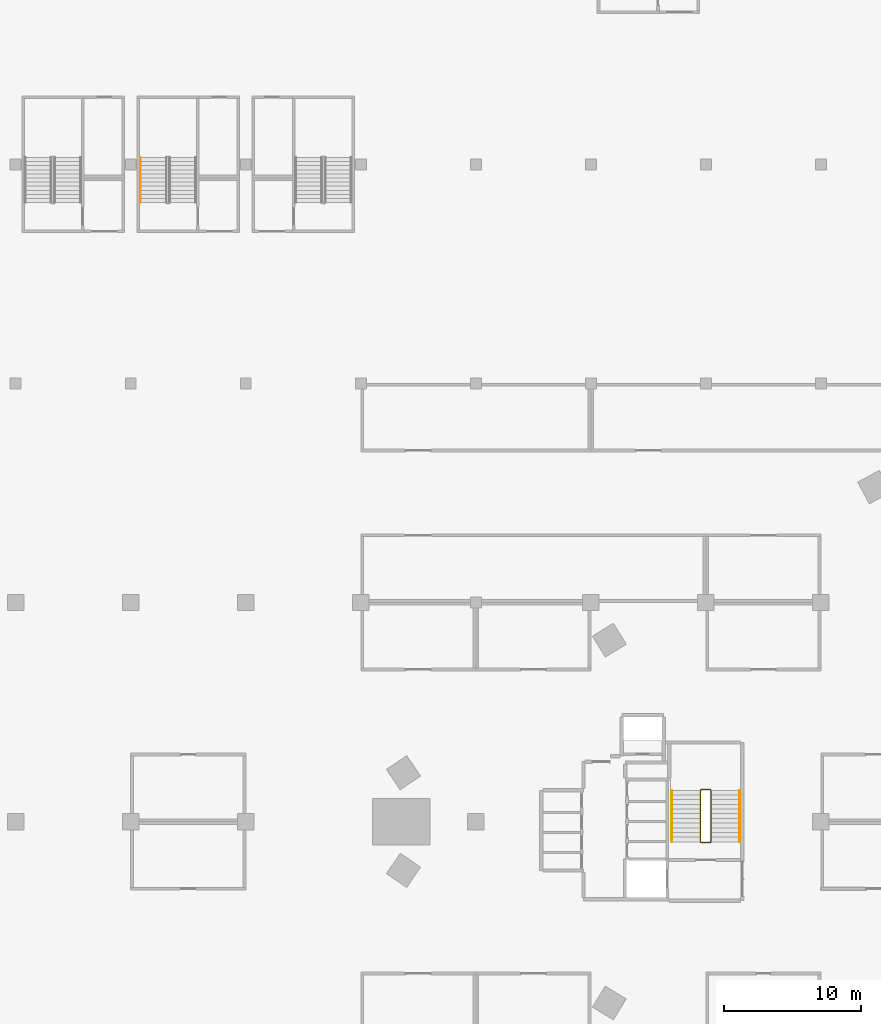
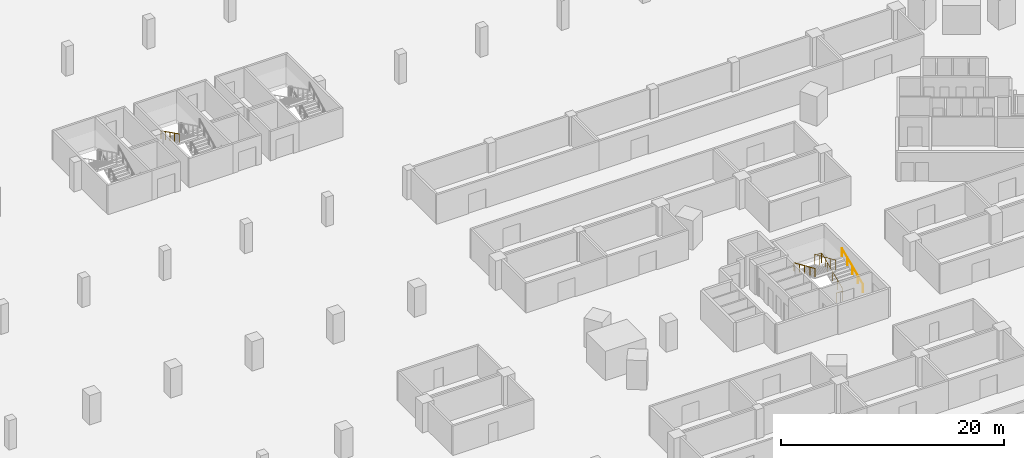
# One storey, part 27 of 37: 4 railings.
"""IFC4 building model written with IfcOpenShell, lengths in metres."""

from ifc_helpers import new_model, si_unit, direction, frame, origin, origin_2d, place, context, subcontext, project, spatial, circle, extrude, material, type_object, element, save


model = new_model("IFC4")

# Units and contexts
model_context = context("Model", 3, precision=1e-05, world=origin(), true_north=direction((0.0, 1.0)))
body_context = subcontext(model_context, "Body", "Model", "MODEL_VIEW")
ifc_project = project(units=[si_unit("LENGTHUNIT", "METRE"), si_unit("AREAUNIT", "SQUARE_METRE"), si_unit("VOLUMEUNIT", "CUBIC_METRE"), si_unit("PLANEANGLEUNIT", "RADIAN"), si_unit("MASSUNIT", "GRAM", prefix="KILO")], contexts=[model_context])

# Site, building, storey
site_placement = place(None, origin())
site = spatial("IfcSite", under=ifc_project, at=site_placement, CompositionType="ELEMENT")
building_placement = place(site_placement, origin())
building = spatial("IfcBuilding", under=site, at=building_placement, Name="Tamra Quay Hotel Tower", CompositionType="ELEMENT")
storey_placement = place(building_placement, frame((0.0, 0.0, -7.199951171875)))
storey = spatial("IfcBuildingStorey", under=building, at=storey_placement, Name="B2", CompositionType="ELEMENT", Elevation=-7.199951171875)

# Railings
ifc_material_1 = material(Name="Basement stair handrail 900")
railing_type_1 = type_object("IfcRailingType", Name="Basement stair handrail 900", PredefinedType="HANDRAIL", material=ifc_material_1)
railing_1_placement = place(storey_placement, frame((-54.800048828125, 48.5, 1.949951171875)))
element("IfcRailing", 1, at=railing_1_placement, inside=storey, type_object=railing_type_1, Name="BSH", PredefinedType="HANDRAIL", context=body_context, shape_type="SweptSolid", body=[
    extrude(circle(Radius=0.02392578125, at=origin_2d()), frame((0.0, 0.0, 0.8759765625), z_axis=(0.0, -0.894440424912, 0.447187126696), x_axis=(1.0, 0.0, 0.0)), (0.0, 0.0, 1.0), 3.689453125),
    extrude(circle(Radius=0.02099609375, at=origin_2d()), origin(), (0.0, 0.0, 1.0), 0.851806640625),
    extrude(circle(Radius=0.02099609375, at=origin_2d()), frame((0.0, -0.824951171875, 0.41259765625)), (0.0, 0.0, 1.0), 0.851806640625),
    extrude(circle(Radius=0.02099609375, at=origin_2d()), frame((0.0, -1.64990234375, 0.824951171875)), (0.0, 0.0, 1.0), 0.851806640625),
    extrude(circle(Radius=0.02099609375, at=origin_2d()), frame((0.0, -2.47509765625, 1.2373046875)), (0.0, 0.0, 1.0), 0.851806640625),
    extrude(circle(Radius=0.02099609375, at=origin_2d()), frame((0.0, -3.300048828125, 1.64990234375)), (0.0, 0.0, 1.0), 0.851806640625),
])
ifc_material_2 = material(Name="Stair guard 1100")
railing_type_2 = type_object("IfcRailingType", Name="Stair guard 1100", PredefinedType="GUARDRAIL", material=ifc_material_2)
railing_2_placement = place(storey_placement, frame((-13.84130859375, -1.530029296875, 0.0)))
element("IfcRailing", 2, at=railing_2_placement, inside=storey, type_object=railing_type_2, Name="GR", PredefinedType="GUARDRAIL", context=body_context, shape_type="SweptSolid", body=[
    extrude(circle(Radius=0.02392578125, at=origin_2d()), frame((0.0, 0.0, 1.076171875), z_axis=(1.0, 0.0, 0.0), x_axis=(0.0, 1.0, 0.0)), (0.0, 0.0, 1.0), 0.658935546875),
    extrude(circle(Radius=0.02392578125, at=origin_2d()), frame((0.658935546875, 0.0, 1.076171875), z_axis=(0.301912943143, 0.301912943143, 0.904266083366), x_axis=(-0.707106781187, 0.707106781187, 0.0)), (0.0, 0.0, 1.0), 0.165771484375),
    extrude(circle(Radius=0.02392578125, at=origin_2d()), frame((0.708984375, 0.050048828125, 1.22607421875), z_axis=(0.0, 0.915773634228, 0.401694723457), x_axis=(-1.0, 0.0, 0.0)), (0.0, 0.0, 1.0), 4.10791015625),
    extrude(circle(Radius=0.02392578125, at=origin_2d()), frame((0.708984375, 3.81201171875, 2.8759765625), z_axis=(-0.708833529934, 0.705375805398, 0.0), x_axis=(-0.705375805398, -0.708833529934, 0.0)), (0.0, 0.0, 1.0), 0.070556640625),
    extrude(circle(Radius=0.02392578125, at=origin_2d()), frame((0.658935546875, 3.86181640625, 2.8759765625), z_axis=(-1.0, 0.0, 0.0), x_axis=(0.0, -1.0, 0.0)), (0.0, 0.0, 1.0), 0.658935546875),
    extrude(circle(Radius=0.02392578125, at=origin_2d()), frame((0.0, 3.86181640625, 2.8759765625), z_axis=(-0.302046947789, -0.300573548044, 0.904667443621), x_axis=(0.705375805398, -0.708833529934, 0.0)), (0.0, 0.0, 1.0), 0.165771484375),
    extrude(circle(Radius=0.02392578125, at=origin_2d()), frame((-0.050048828125, 3.81201171875, 3.02587890625), z_axis=(0.0, -0.915795495799, 0.401644880304), x_axis=(1.0, 0.0, 0.0)), (0.0, 0.0, 1.0), 4.10791015625),
    extrude(circle(Radius=0.02099609375, at=origin_2d()), origin(), (0.0, 0.0, 1.0), 1.052001953125),
    extrude(circle(Radius=0.02099609375, at=origin_2d()), frame((0.658935546875, 0.0, 0.0)), (0.0, 0.0, 1.0), 1.052001953125),
    extrude(circle(Radius=0.02099609375, at=origin_2d()), frame((0.708984375, 0.050048828125, 0.14990234375)), (0.0, 0.0, 1.0), 1.052001953125),
    extrude(circle(Radius=0.02099609375, at=origin_2d()), frame((0.708984375, 0.990478515625, 0.5625)), (0.0, 0.0, 1.0), 1.052001953125),
    extrude(circle(Radius=0.02099609375, at=origin_2d()), frame((0.708984375, 1.93115234375, 0.97509765625)), (0.0, 0.0, 1.0), 1.052001953125),
    extrude(circle(Radius=0.02099609375, at=origin_2d()), frame((0.708984375, 2.87158203125, 1.387451171875)), (0.0, 0.0, 1.0), 1.052001953125),
    extrude(circle(Radius=0.02099609375, at=origin_2d()), frame((0.708984375, 3.81201171875, 1.800048828125)), (0.0, 0.0, 1.0), 1.052001953125),
    extrude(circle(Radius=0.02099609375, at=origin_2d()), frame((0.658935546875, 3.86181640625, 1.800048828125)), (0.0, 0.0, 1.0), 1.052001953125),
    extrude(circle(Radius=0.02099609375, at=origin_2d()), frame((0.0, 3.86181640625, 1.800048828125)), (0.0, 0.0, 1.0), 1.052001953125),
    extrude(circle(Radius=0.02099609375, at=origin_2d()), frame((-0.050048828125, 3.81201171875, 1.949951171875)), (0.0, 0.0, 1.0), 1.052001953125),
    extrude(circle(Radius=0.02099609375, at=origin_2d()), frame((-0.050048828125, 2.87158203125, 2.3623046875)), (0.0, 0.0, 1.0), 1.052001953125),
    extrude(circle(Radius=0.02099609375, at=origin_2d()), frame((-0.050048828125, 1.93115234375, 2.77490234375)), (0.0, 0.0, 1.0), 1.052001953125),
    extrude(circle(Radius=0.02099609375, at=origin_2d()), frame((-0.050048828125, 0.990478515625, 3.1875)), (0.0, 0.0, 1.0), 1.052001953125),
    extrude(circle(Radius=0.02099609375, at=origin_2d()), frame((-0.050048828125, 0.050048828125, 3.599853515625)), (0.0, 0.0, 1.0), 1.052001953125),
])
ifc_material_3 = material(Name="Stair handrail 900")
railing_type_3 = type_object("IfcRailingType", Name="Stair handrail 900", PredefinedType="HANDRAIL", material=ifc_material_3)
railing_3_placement = place(storey_placement, frame((-11.0322265625, -1.47998046875, 0.14990234375)))
element("IfcRailing", 3, at=railing_3_placement, inside=storey, type_object=railing_type_3, Name="HR", PredefinedType="HANDRAIL", context=body_context, shape_type="SweptSolid", body=[
    extrude(circle(Radius=0.02392578125, at=origin_2d()), frame((0.0, 0.0, 0.8759765625), z_axis=(0.0, 0.915773634228, 0.401694723457), x_axis=(-1.0, 0.0, 0.0)), (0.0, 0.0, 1.0), 4.10791015625),
    extrude(circle(Radius=0.02099609375, at=origin_2d()), origin(), (0.0, 0.0, 1.0), 0.851806640625),
    extrude(circle(Radius=0.02099609375, at=origin_2d()), frame((0.0, 0.9404296875, 0.41259765625)), (0.0, 0.0, 1.0), 0.851806640625),
    extrude(circle(Radius=0.02099609375, at=origin_2d()), frame((0.0, 1.880859375, 0.8251953125)), (0.0, 0.0, 1.0), 0.851806640625),
    extrude(circle(Radius=0.02099609375, at=origin_2d()), frame((0.0, 2.821533203125, 1.237548828125)), (0.0, 0.0, 1.0), 0.851806640625),
    extrude(circle(Radius=0.02099609375, at=origin_2d()), frame((0.0, 3.761962890625, 1.650146484375)), (0.0, 0.0, 1.0), 0.851806640625),
])
railing_4_placement = place(storey_placement, frame((-15.9912109375, 2.281982421875, 1.949951171875)))
element("IfcRailing", 4, at=railing_4_placement, inside=storey, type_object=railing_type_3, Name="HR", PredefinedType="HANDRAIL", context=body_context, shape_type="SweptSolid", body=[
    extrude(circle(Radius=0.02392578125, at=origin_2d()), frame((0.0, 0.0, 0.8759765625), z_axis=(0.0, -0.915795495799, 0.401644880304), x_axis=(1.0, 0.0, 0.0)), (0.0, 0.0, 1.0), 4.10791015625),
    extrude(circle(Radius=0.02099609375, at=origin_2d()), origin(), (0.0, 0.0, 1.0), 0.851806640625),
    extrude(circle(Radius=0.02099609375, at=origin_2d()), frame((0.0, -0.9404296875, 0.41259765625)), (0.0, 0.0, 1.0), 0.851806640625),
    extrude(circle(Radius=0.02099609375, at=origin_2d()), frame((0.0, -1.880859375, 0.824951171875)), (0.0, 0.0, 1.0), 0.851806640625),
    extrude(circle(Radius=0.02099609375, at=origin_2d()), frame((0.0, -2.821533203125, 1.2373046875)), (0.0, 0.0, 1.0), 0.851806640625),
    extrude(circle(Radius=0.02099609375, at=origin_2d()), frame((0.0, -3.761962890625, 1.64990234375)), (0.0, 0.0, 1.0), 0.851806640625),
])

save(model, "model.ifc")
